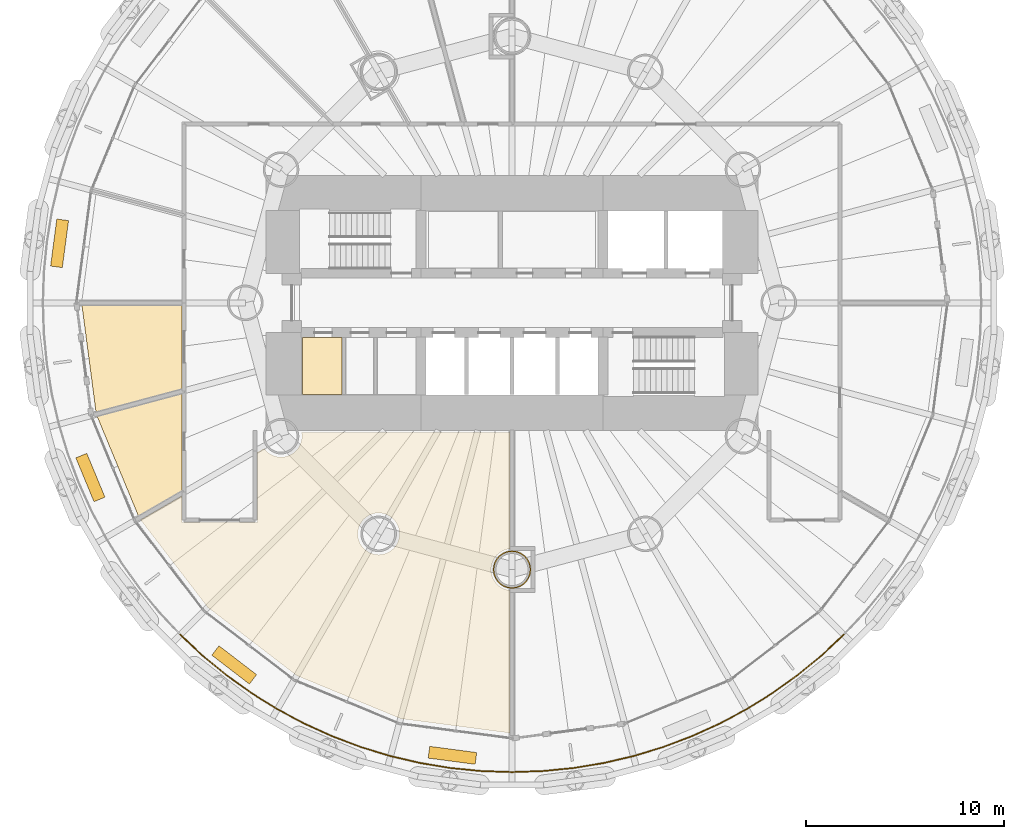
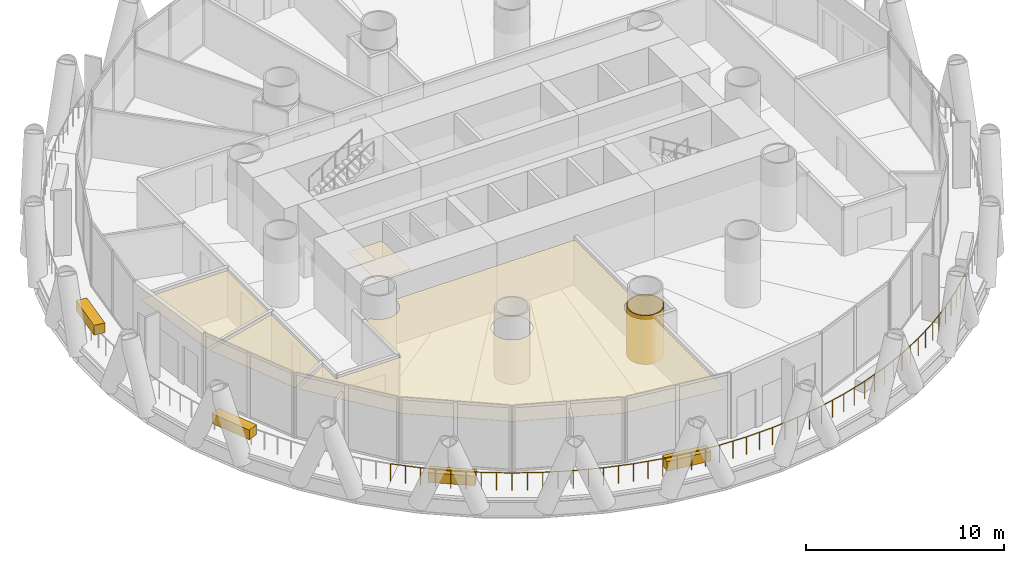
# One storey, part 13 of 16: 9 coverings, 1 railing.
"""IFC4 building model written with IfcOpenShell, lengths in metres."""

import ifcopenshell
import ifcopenshell.guid

model = None  # the IFC model being written
_history = None  # IfcOwnerHistory: only IFC2X3 demands one
_inside = {}  # id of a spatial element -> (the spatial element, [elements in it])
_under = {}  # id of a project, library or spatial element -> (it, [spatial elements below it])
_declared = {}  # id of a project -> (the project, [libraries it declares])
_typed = {}  # id of a type object -> (the type object, [elements of that type])
_made_of = {}  # id of a material, layer set ... -> (it, [elements and type objects made of it])


def new_model(schema):
    """Start an empty IFC model of exactly this schema.

    Asked for "IFC4X3", IfcOpenShell would pick the latest addendum, in which some entities
    have other attributes; the version numbers below select the first issue.
    IFC2X3 requires an IfcOwnerHistory on every rooted entity: one is made here for all.
    """
    global model, _history
    if schema == "IFC4X3":
        model = ifcopenshell.file(schema_version=(4, 3, 0, 0))
    else:
        model = ifcopenshell.file(schema=schema)
    _inside.clear()
    _under.clear()
    _declared.clear()
    _typed.clear()
    _made_of.clear()
    _history = None
    if model.schema == "IFC2X3":
        org = make("IfcOrganization", Name="unknown")
        user = make(
            "IfcPersonAndOrganization",
            ThePerson=make("IfcPerson", FamilyName="unknown"),
            TheOrganization=org,
        )
        app = make(
            "IfcApplication",
            ApplicationDeveloper=org,
            Version="unknown",
            ApplicationFullName="unknown",
            ApplicationIdentifier="unknown",
        )
        _history = make(
            "IfcOwnerHistory",
            OwningUser=user,
            OwningApplication=app,
            ChangeAction="ADDED",
            CreationDate=0,
        )
    return model


def make(cls, **values):
    """One entity of the class cls with the attributes given. An attribute that is None is left unset."""
    return model.create_entity(
        cls, **{name: value for name, value in values.items() if value is not None}
    )


def rooted(cls, **values):
    """An entity with a GlobalId (a new one), such as an element, a storey or a relation."""
    return make(cls, GlobalId=ifcopenshell.guid.new(), OwnerHistory=_history, **values)


def si_unit(unit_type, name, prefix=None):
    """IfcSIUnit, for example si_unit("LENGTHUNIT", "METRE", prefix="MILLI")."""
    return make("IfcSIUnit", UnitType=unit_type, Prefix=prefix, Name=name)


def assignment(units):
    """IfcUnitAssignment: the units of a project."""
    return None if units is None else make("IfcUnitAssignment", Units=units)


def point(xyz):
    """IfcCartesianPoint."""
    return None if xyz is None else make("IfcCartesianPoint", Coordinates=xyz)


def direction(xyz):
    """IfcDirection."""
    return None if xyz is None else make("IfcDirection", DirectionRatios=xyz)


def frame(location, z_axis=None, x_axis=None):
    """IfcAxis2Placement3D, a coordinate frame: its origin and axes. An axis left out is left unset."""
    return make(
        "IfcAxis2Placement3D",
        Location=point(location),
        Axis=direction(z_axis),
        RefDirection=direction(x_axis),
    )


def frame_2d(location, x_axis=None):
    """IfcAxis2Placement2D, a coordinate frame in the plane: its origin and x axis."""
    return make(
        "IfcAxis2Placement2D", Location=point(location), RefDirection=direction(x_axis)
    )


def origin():
    """The frame at (0, 0, 0) with its axes left unset."""
    return frame((0.0, 0.0, 0.0))


def origin_2d():
    """The frame at (0, 0) in the plane with its x axis left unset."""
    return frame_2d((0.0, 0.0))


def place(relative_to, where):
    """IfcLocalPlacement: puts the frame where relative to a parent placement (None: the world)."""
    return make(
        "IfcLocalPlacement", PlacementRelTo=relative_to, RelativePlacement=where
    )


def context(
    kind, dimensions, precision=None, world=None, true_north=None, identifier=None
):
    """IfcGeometricRepresentationContext, for example the 3D "Model" context."""
    return make(
        "IfcGeometricRepresentationContext",
        ContextIdentifier=identifier,
        ContextType=kind,
        CoordinateSpaceDimension=dimensions,
        Precision=precision,
        WorldCoordinateSystem=world,
        TrueNorth=true_north,
    )


def subcontext(parent, identifier, kind, view, scale=None):
    """IfcGeometricRepresentationSubContext, for example "Body" below "Model"."""
    return make(
        "IfcGeometricRepresentationSubContext",
        ContextIdentifier=identifier,
        ContextType=kind,
        ParentContext=parent,
        TargetScale=scale,
        TargetView=view,
    )


def project(units=None, contexts=None):
    """IfcProject with its units and contexts."""
    return rooted(
        "IfcProject",
        Name="project",
        RepresentationContexts=contexts,
        UnitsInContext=assignment(units),
    )


def spatial(cls, under=None, at=None, **own):
    """A site, building, storey or space (cls), placed at a placement, below another one or the project."""
    s = rooted(cls, ObjectPlacement=at, **own)
    if under is not None:
        _under.setdefault(under.id(), (under, []))[1].append(s)
    return s


def polyline(points):
    """IfcPolyline through the points."""
    return make("IfcPolyline", Points=[point(p) for p in points])


def profile(cls, at=None, kind="AREA", **sizes):
    """A parametric profile (cls). Its sizes go by their IFC names, for example OverallWidth=200.0."""
    return make(cls, ProfileType=kind, Position=at, **sizes)


def rectangle(**sizes):
    """IfcRectangleProfileDef."""
    return profile("IfcRectangleProfileDef", **sizes)


def circle(**sizes):
    """IfcCircleProfileDef."""
    return profile("IfcCircleProfileDef", **sizes)


def outline(outer, holes=None, kind="AREA"):
    """IfcArbitraryClosedProfileDef: a profile drawn as a closed curve; with holes, ...WithVoids."""
    if holes is None:
        return make("IfcArbitraryClosedProfileDef", ProfileType=kind, OuterCurve=outer)
    return make(
        "IfcArbitraryProfileDefWithVoids",
        ProfileType=kind,
        OuterCurve=outer,
        InnerCurves=holes,
    )


def extrude(swept, where, along, depth):
    """IfcExtrudedAreaSolid: the profile swept, set in the frame where, extruded along a direction by depth."""
    return make(
        "IfcExtrudedAreaSolid",
        SweptArea=swept,
        Position=where,
        ExtrudedDirection=direction(along),
        Depth=depth,
    )


def shape(context_of_items, identifier, shape_type, items):
    """IfcShapeRepresentation: the items that make up one representation, for example the "Body"."""
    return make(
        "IfcShapeRepresentation",
        ContextOfItems=context_of_items,
        RepresentationIdentifier=identifier,
        RepresentationType=shape_type,
        Items=items,
    )


def material(Name=None, Category=None):
    """IfcMaterial."""
    return make("IfcMaterial", Name=Name, Category=Category)


def layer(
    of_material, thickness, ventilated=None, Name=None, Category=None, Priority=None
):
    """IfcMaterialLayer: one layer of a wall or slab, of a material (None: an air gap)."""
    return make(
        "IfcMaterialLayer",
        Material=of_material,
        LayerThickness=thickness,
        IsVentilated=ventilated,
        Name=Name,
        Category=Category,
        Priority=Priority,
    )


def layer_set(layers, Name=None):
    """IfcMaterialLayerSet."""
    return make("IfcMaterialLayerSet", MaterialLayers=layers, LayerSetName=Name)


def made_of(thing, what):
    """Note that an element or type object is made of a material, layer set ...; save() writes the relation."""
    if what is not None:
        _made_of.setdefault(what.id(), (what, []))[1].append(thing)
    return thing


def type_object(cls, material=None, **own):
    """A type object (cls), such as IfcWallType, which elements share."""
    return made_of(rooted(cls, **own), material)


def element(
    cls,
    number,
    at=None,
    inside=None,
    cuts=None,
    type_object=None,
    material=None,
    context=None,
    identifier="Body",
    shape_type=None,
    held_by="IfcProductDefinitionShape",
    body=None,
    shapes=None,
    **own,
):
    """One element of the class cls, such as IfcWall. Its Tag is "e" and its number.

    at: its placement. inside: the storey or other place that contains it. cuts: it is an
    opening in that element (IfcRelVoidsElement). A single representation is given by context,
    identifier, shape_type and body (its items); several are given by shapes. held_by: the class
    of the entity that holds the representations. save() writes the other relations.
    """
    e = rooted(cls, Tag="e%d" % number, ObjectPlacement=at, **own)
    if body is not None:
        shapes = [shape(context, identifier, shape_type, body)]
    if shapes is not None:
        e.Representation = make(held_by, Representations=shapes)
    if inside is not None:
        _inside.setdefault(inside.id(), (inside, []))[1].append(e)
    if cuts is not None:
        rooted(
            "IfcRelVoidsElement", RelatingBuildingElement=cuts, RelatedOpeningElement=e
        )
    if type_object is not None:
        _typed.setdefault(type_object.id(), (type_object, []))[1].append(e)
    return made_of(e, material)


def aggregate(whole, parts):
    """IfcRelAggregates: a whole, such as a stair, and the parts it consists of."""
    return rooted("IfcRelAggregates", RelatingObject=whole, RelatedObjects=parts)


def save(model, path):
    """Write the relations noted so far, then the file.

    IfcRelAggregates (storeys below a building ...), IfcRelContainedInSpatialStructure (elements
    in a storey), IfcRelDefinesByType, IfcRelAssociatesMaterial and IfcRelDeclares: one each for
    every whole, place, type object, material and project.
    """
    for whole, parts in _under.values():
        aggregate(whole, parts)
    for where, things in _inside.values():
        rooted(
            "IfcRelContainedInSpatialStructure",
            RelatedElements=things,
            RelatingStructure=where,
        )
    for kind, things in _typed.values():
        rooted("IfcRelDefinesByType", RelatedObjects=things, RelatingType=kind)
    for what, things in _made_of.values():
        rooted("IfcRelAssociatesMaterial", RelatedObjects=things, RelatingMaterial=what)
    for by, libraries in _declared.values():
        rooted("IfcRelDeclares", RelatingContext=by, RelatedDefinitions=libraries)
    model.write(path)


model = new_model("IFC4")

# Units and contexts
model_context = context("Model", 3, precision=1e-05, world=origin(), true_north=direction((0.0, 1.0)))
body_context = subcontext(model_context, "Body", "Model", "MODEL_VIEW")
ifc_project = project(units=[si_unit("LENGTHUNIT", "METRE"), si_unit("AREAUNIT", "SQUARE_METRE"), si_unit("VOLUMEUNIT", "CUBIC_METRE"), si_unit("PLANEANGLEUNIT", "RADIAN"), si_unit("MASSUNIT", "GRAM", prefix="KILO")], contexts=[model_context])

# Site, building, storey
site_placement = place(None, origin())
site = spatial("IfcSite", under=ifc_project, at=site_placement, CompositionType="ELEMENT")
building_placement = place(site_placement, origin())
building = spatial("IfcBuilding", under=site, at=building_placement, Name="Qaws Media Tower", CompositionType="ELEMENT")
storey_placement = place(building_placement, frame((0.0, 0.0, 181.39990234375)))
storey = spatial("IfcBuildingStorey", under=building, at=storey_placement, Name="L41", CompositionType="ELEMENT", Elevation=181.39990234375)

# Railing
ifc_material_1 = material(Name="Stainless steel and glass guard", Category="steel")
railing_type = type_object("IfcRailingType", Name="Balcony guard 1100", PredefinedType="GUARDRAIL", material=ifc_material_1)
railing_placement = place(storey_placement, frame((43.206298828125, 33.206298828125, 0.0)))
element("IfcRailing", 1, at=railing_placement, inside=storey, type_object=railing_type, Name="GR1 balcony guard L41-3", PredefinedType="GUARDRAIL", context=body_context, shape_type="SweptSolid", body=[
    extrude(circle(Radius=0.02392578125, at=origin_2d()), frame((0.0, 0.0, 1.076171875), z_axis=(0.729821267522, -0.683638001777, 0.0), x_axis=(0.683638001777, 0.729821267522, 0.0)), (0.0, 0.0, 1.0), 1.55419921875),
    extrude(circle(Radius=0.02392578125, at=origin_2d()), frame((1.13427734375, -1.0625, 1.076171875), z_axis=(0.773053617773, -0.634340684529, 0.0), x_axis=(0.634340684529, 0.773053617773, 0.0)), (0.0, 0.0, 1.0), 1.55419921875),
    extrude(circle(Radius=0.02392578125, at=origin_2d()), frame((2.335693359375, -2.04833984375, 1.076171875), z_axis=(0.812819606983, -0.582515481773, 0.0), x_axis=(0.582515481773, 0.812819606983, 0.0)), (0.0, 0.0, 1.0), 1.553955078125),
    extrude(circle(Radius=0.02392578125, at=origin_2d()), frame((3.598876953125, -2.95361328125, 1.076171875), z_axis=(0.849178711534, -0.528105591598, 0.0), x_axis=(0.528105591598, 0.849178711534, 0.0)), (0.0, 0.0, 1.0), 1.55419921875),
    extrude(circle(Radius=0.02392578125, at=origin_2d()), frame((4.918701171875, -3.7744140625, 1.076171875), z_axis=(0.881904644069, -0.471427829863, 0.0), x_axis=(0.471427829863, 0.881904644069, 0.0)), (0.0, 0.0, 1.0), 1.55419921875),
    extrude(circle(Radius=0.02392578125, at=origin_2d()), frame((6.289306640625, -4.507080078125, 1.076171875), z_axis=(0.910892916881, -0.412642816459, 0.0), x_axis=(0.412642816459, 0.910892916881, 0.0)), (0.0, 0.0, 1.0), 1.55419921875),
    extrude(circle(Radius=0.02392578125, at=origin_2d()), frame((7.705078125, -5.1484375, 1.076171875), z_axis=(0.935908829299, -0.352242335956, 0.0), x_axis=(0.352242335956, 0.935908829299, 0.0)), (0.0, 0.0, 1.0), 1.553955078125),
    extrude(circle(Radius=0.02392578125, at=origin_2d()), frame((9.159423828125, -5.69580078125, 1.076171875), z_axis=(0.956939811961, -0.290286403891, 0.0), x_axis=(0.290286403891, 0.956939811961, 0.0)), (0.0, 0.0, 1.0), 1.55419921875),
    extrude(circle(Radius=0.02392578125, at=origin_2d()), frame((10.646728515625, -6.14697265625, 1.076171875), z_axis=(0.97386437695, -0.227130304689, 0.0), x_axis=(0.227130304689, 0.97386437695, 0.0)), (0.0, 0.0, 1.0), 1.55419921875),
    extrude(circle(Radius=0.02392578125, at=origin_2d()), frame((12.160400390625, -6.5, 1.076171875), z_axis=(0.986639094643, -0.162921137125, 0.0), x_axis=(0.162921137125, 0.986639094643, 0.0)), (0.0, 0.0, 1.0), 1.553955078125),
    extrude(circle(Radius=0.02392578125, at=origin_2d()), frame((13.693603515625, -6.753173828125, 1.076171875), z_axis=(0.995185362969, -0.098010679686, 0.0), x_axis=(0.098010679686, 0.995185362969, 0.0)), (0.0, 0.0, 1.0), 1.554443359375),
    extrude(circle(Radius=0.02392578125, at=origin_2d()), frame((15.240478515625, -6.905517578125, 1.076171875), z_axis=(0.999465975293, -0.032676661877, 0.0), x_axis=(0.032676661877, 0.999465975293, 0.0)), (0.0, 0.0, 1.0), 1.553955078125),
    extrude(circle(Radius=0.02392578125, at=origin_2d()), frame((16.793701171875, -6.956298828125, 1.076171875), z_axis=(0.999465975293, 0.032676661877, 0.0), x_axis=(-0.032676661877, 0.999465975293, 0.0)), (0.0, 0.0, 1.0), 1.553955078125),
    extrude(circle(Radius=0.02392578125, at=origin_2d()), frame((18.346923828125, -6.905517578125, 1.076171875), z_axis=(0.995185362969, 0.098010679686, 0.0), x_axis=(-0.098010679686, 0.995185362969, 0.0)), (0.0, 0.0, 1.0), 1.554443359375),
    extrude(circle(Radius=0.02392578125, at=origin_2d()), frame((19.893798828125, -6.753173828125, 1.076171875), z_axis=(0.986639094643, 0.162921137125, 0.0), x_axis=(-0.162921137125, 0.986639094643, 0.0)), (0.0, 0.0, 1.0), 1.553955078125),
    extrude(circle(Radius=0.02392578125, at=origin_2d()), frame((21.427001953125, -6.5, 1.076171875), z_axis=(0.97386437695, 0.227130304689, 0.0), x_axis=(-0.227130304689, 0.97386437695, 0.0)), (0.0, 0.0, 1.0), 1.55419921875),
    extrude(circle(Radius=0.02392578125, at=origin_2d()), frame((22.940673828125, -6.14697265625, 1.076171875), z_axis=(0.956939811961, 0.290286403891, 0.0), x_axis=(-0.290286403891, 0.956939811961, 0.0)), (0.0, 0.0, 1.0), 1.55419921875),
    extrude(circle(Radius=0.02392578125, at=origin_2d()), frame((24.427978515625, -5.69580078125, 1.076171875), z_axis=(0.935908829299, 0.352242335956, 0.0), x_axis=(-0.352242335956, 0.935908829299, 0.0)), (0.0, 0.0, 1.0), 1.553955078125),
    extrude(circle(Radius=0.02392578125, at=origin_2d()), frame((25.88232421875, -5.1484375, 1.076171875), z_axis=(0.910892916881, 0.412642816459, 0.0), x_axis=(-0.412642816459, 0.910892916881, 0.0)), (0.0, 0.0, 1.0), 1.55419921875),
    extrude(circle(Radius=0.02392578125, at=origin_2d()), frame((27.298095703125, -4.507080078125, 1.076171875), z_axis=(0.881904644069, 0.471427829863, 0.0), x_axis=(-0.471427829863, 0.881904644069, 0.0)), (0.0, 0.0, 1.0), 1.55419921875),
    extrude(circle(Radius=0.02392578125, at=origin_2d()), frame((28.668701171875, -3.7744140625, 1.076171875), z_axis=(0.849178711534, 0.528105591598, 0.0), x_axis=(-0.528105591598, 0.849178711534, 0.0)), (0.0, 0.0, 1.0), 1.55419921875),
    extrude(circle(Radius=0.02392578125, at=origin_2d()), frame((29.988525390625, -2.95361328125, 1.076171875), z_axis=(0.812819606983, 0.582515481773, 0.0), x_axis=(-0.582515481773, 0.812819606983, 0.0)), (0.0, 0.0, 1.0), 1.553955078125),
    extrude(circle(Radius=0.02392578125, at=origin_2d()), frame((31.251708984375, -2.04833984375, 1.076171875), z_axis=(0.773053617773, 0.634340684529, 0.0), x_axis=(-0.634340684529, 0.773053617773, 0.0)), (0.0, 0.0, 1.0), 1.55419921875),
    extrude(circle(Radius=0.02392578125, at=origin_2d()), frame((32.453125, -1.0625, 1.076171875), z_axis=(0.729821267522, 0.683638001777, 0.0), x_axis=(-0.683638001777, 0.729821267522, 0.0)), (0.0, 0.0, 1.0), 1.55419921875),
    extrude(circle(Radius=0.02099609375, at=origin_2d()), origin(), (0.0, 0.0, 1.0), 1.052001953125),
    extrude(circle(Radius=0.02099609375, at=origin_2d()), frame((0.567138671875, -0.53125, 0.0)), (0.0, 0.0, 1.0), 1.052001953125),
    extrude(circle(Radius=0.02099609375, at=origin_2d()), frame((1.13427734375, -1.0625, 0.0)), (0.0, 0.0, 1.0), 1.052001953125),
    extrude(circle(Radius=0.02099609375, at=origin_2d()), frame((1.73486328125, -1.555419921875, 0.0)), (0.0, 0.0, 1.0), 1.052001953125),
    extrude(circle(Radius=0.02099609375, at=origin_2d()), frame((2.335693359375, -2.04833984375, 0.0)), (0.0, 0.0, 1.0), 1.052001953125),
    extrude(circle(Radius=0.02099609375, at=origin_2d()), frame((2.96728515625, -2.5009765625, 0.0)), (0.0, 0.0, 1.0), 1.052001953125),
    extrude(circle(Radius=0.02099609375, at=origin_2d()), frame((3.598876953125, -2.95361328125, 0.0)), (0.0, 0.0, 1.0), 1.052001953125),
    extrude(circle(Radius=0.02099609375, at=origin_2d()), frame((4.2587890625, -3.364013671875, 0.0)), (0.0, 0.0, 1.0), 1.052001953125),
    extrude(circle(Radius=0.02099609375, at=origin_2d()), frame((4.918701171875, -3.7744140625, 0.0)), (0.0, 0.0, 1.0), 1.052001953125),
    extrude(circle(Radius=0.02099609375, at=origin_2d()), frame((5.60400390625, -4.140625, 0.0)), (0.0, 0.0, 1.0), 1.052001953125),
    extrude(circle(Radius=0.02099609375, at=origin_2d()), frame((6.289306640625, -4.507080078125, 0.0)), (0.0, 0.0, 1.0), 1.052001953125),
    extrude(circle(Radius=0.02099609375, at=origin_2d()), frame((6.9970703125, -4.82763671875, 0.0)), (0.0, 0.0, 1.0), 1.052001953125),
    extrude(circle(Radius=0.02099609375, at=origin_2d()), frame((7.705078125, -5.1484375, 0.0)), (0.0, 0.0, 1.0), 1.052001953125),
    extrude(circle(Radius=0.02099609375, at=origin_2d()), frame((8.43212890625, -5.422119140625, 0.0)), (0.0, 0.0, 1.0), 1.052001953125),
    extrude(circle(Radius=0.02099609375, at=origin_2d()), frame((9.159423828125, -5.69580078125, 0.0)), (0.0, 0.0, 1.0), 1.052001953125),
    extrude(circle(Radius=0.02099609375, at=origin_2d()), frame((9.903076171875, -5.92138671875, 0.0)), (0.0, 0.0, 1.0), 1.052001953125),
    extrude(circle(Radius=0.02099609375, at=origin_2d()), frame((10.646728515625, -6.14697265625, 0.0)), (0.0, 0.0, 1.0), 1.052001953125),
    extrude(circle(Radius=0.02099609375, at=origin_2d()), frame((11.403564453125, -6.323486328125, 0.0)), (0.0, 0.0, 1.0), 1.052001953125),
    extrude(circle(Radius=0.02099609375, at=origin_2d()), frame((12.160400390625, -6.5, 0.0)), (0.0, 0.0, 1.0), 1.052001953125),
    extrude(circle(Radius=0.02099609375, at=origin_2d()), frame((12.927001953125, -6.62646484375, 0.0)), (0.0, 0.0, 1.0), 1.052001953125),
    extrude(circle(Radius=0.02099609375, at=origin_2d()), frame((13.693603515625, -6.753173828125, 0.0)), (0.0, 0.0, 1.0), 1.052001953125),
    extrude(circle(Radius=0.02099609375, at=origin_2d()), frame((14.467041015625, -6.829345703125, 0.0)), (0.0, 0.0, 1.0), 1.052001953125),
    extrude(circle(Radius=0.02099609375, at=origin_2d()), frame((15.240478515625, -6.905517578125, 0.0)), (0.0, 0.0, 1.0), 1.052001953125),
    extrude(circle(Radius=0.02099609375, at=origin_2d()), frame((16.01708984375, -6.930908203125, 0.0)), (0.0, 0.0, 1.0), 1.052001953125),
    extrude(circle(Radius=0.02099609375, at=origin_2d()), frame((16.793701171875, -6.956298828125, 0.0)), (0.0, 0.0, 1.0), 1.052001953125),
    extrude(circle(Radius=0.02099609375, at=origin_2d()), frame((17.5703125, -6.930908203125, 0.0)), (0.0, 0.0, 1.0), 1.052001953125),
    extrude(circle(Radius=0.02099609375, at=origin_2d()), frame((18.346923828125, -6.905517578125, 0.0)), (0.0, 0.0, 1.0), 1.052001953125),
    extrude(circle(Radius=0.02099609375, at=origin_2d()), frame((19.120361328125, -6.829345703125, 0.0)), (0.0, 0.0, 1.0), 1.052001953125),
    extrude(circle(Radius=0.02099609375, at=origin_2d()), frame((19.893798828125, -6.753173828125, 0.0)), (0.0, 0.0, 1.0), 1.052001953125),
    extrude(circle(Radius=0.02099609375, at=origin_2d()), frame((20.660400390625, -6.62646484375, 0.0)), (0.0, 0.0, 1.0), 1.052001953125),
    extrude(circle(Radius=0.02099609375, at=origin_2d()), frame((21.427001953125, -6.5, 0.0)), (0.0, 0.0, 1.0), 1.052001953125),
    extrude(circle(Radius=0.02099609375, at=origin_2d()), frame((22.183837890625, -6.323486328125, 0.0)), (0.0, 0.0, 1.0), 1.052001953125),
    extrude(circle(Radius=0.02099609375, at=origin_2d()), frame((22.940673828125, -6.14697265625, 0.0)), (0.0, 0.0, 1.0), 1.052001953125),
    extrude(circle(Radius=0.02099609375, at=origin_2d()), frame((23.684326171875, -5.92138671875, 0.0)), (0.0, 0.0, 1.0), 1.052001953125),
    extrude(circle(Radius=0.02099609375, at=origin_2d()), frame((24.427978515625, -5.69580078125, 0.0)), (0.0, 0.0, 1.0), 1.052001953125),
    extrude(circle(Radius=0.02099609375, at=origin_2d()), frame((25.1552734375, -5.422119140625, 0.0)), (0.0, 0.0, 1.0), 1.052001953125),
    extrude(circle(Radius=0.02099609375, at=origin_2d()), frame((25.88232421875, -5.1484375, 0.0)), (0.0, 0.0, 1.0), 1.052001953125),
    extrude(circle(Radius=0.02099609375, at=origin_2d()), frame((26.59033203125, -4.82763671875, 0.0)), (0.0, 0.0, 1.0), 1.052001953125),
    extrude(circle(Radius=0.02099609375, at=origin_2d()), frame((27.298095703125, -4.507080078125, 0.0)), (0.0, 0.0, 1.0), 1.052001953125),
    extrude(circle(Radius=0.02099609375, at=origin_2d()), frame((27.9833984375, -4.140625, 0.0)), (0.0, 0.0, 1.0), 1.052001953125),
    extrude(circle(Radius=0.02099609375, at=origin_2d()), frame((28.668701171875, -3.7744140625, 0.0)), (0.0, 0.0, 1.0), 1.052001953125),
    extrude(circle(Radius=0.02099609375, at=origin_2d()), frame((29.32861328125, -3.364013671875, 0.0)), (0.0, 0.0, 1.0), 1.052001953125),
    extrude(circle(Radius=0.02099609375, at=origin_2d()), frame((29.988525390625, -2.95361328125, 0.0)), (0.0, 0.0, 1.0), 1.052001953125),
    extrude(circle(Radius=0.02099609375, at=origin_2d()), frame((30.6201171875, -2.5009765625, 0.0)), (0.0, 0.0, 1.0), 1.052001953125),
    extrude(circle(Radius=0.02099609375, at=origin_2d()), frame((31.251708984375, -2.04833984375, 0.0)), (0.0, 0.0, 1.0), 1.052001953125),
    extrude(circle(Radius=0.02099609375, at=origin_2d()), frame((31.8525390625, -1.555419921875, 0.0)), (0.0, 0.0, 1.0), 1.052001953125),
    extrude(circle(Radius=0.02099609375, at=origin_2d()), frame((32.453125, -1.0625, 0.0)), (0.0, 0.0, 1.0), 1.052001953125),
    extrude(circle(Radius=0.02099609375, at=origin_2d()), frame((33.020263671875, -0.53125, 0.0)), (0.0, 0.0, 1.0), 1.052001953125),
    extrude(circle(Radius=0.02099609375, at=origin_2d()), frame((33.58740234375, 0.0, 0.0)), (0.0, 0.0, 1.0), 1.052001953125),
])

# Coverings
ifc_material_2 = material(Name="Two layers 15 fire-rated gypsum board on steel framing", Category="steel")
ifc_layer_1 = layer(ifc_material_2, 0.050048828125)
ifc_layer_set_1 = layer_set([ifc_layer_1], Name="Column fire casing")
covering_type_1 = type_object("IfcCoveringType", Name="Column fire casing", PredefinedType="CLADDING", material=ifc_layer_set_1)
covering_1_placement = place(storey_placement, origin())
element("IfcCovering", 2, at=covering_1_placement, inside=storey, type_object=covering_type_1, Name="CC1 column casing L41", PredefinedType="CLADDING", context=body_context, shape_type="SweptSolid", body=[
    extrude(outline(polyline([(60.955078125, 36.5), (60.94677734375, 36.375244140625), (60.922607421875, 36.252685546875), (60.88232421875, 36.134521484375), (60.8271484375, 36.0224609375), (60.7578125, 35.918701171875), (60.67529296875, 35.82470703125), (60.581298828125, 35.7421875), (60.4775390625, 35.6728515625), (60.365478515625, 35.61767578125), (60.247314453125, 35.577392578125), (60.124755859375, 35.55322265625), (60.0, 35.544921875), (59.875244140625, 35.55322265625), (59.752685546875, 35.577392578125), (59.634521484375, 35.61767578125), (59.5224609375, 35.6728515625), (59.418701171875, 35.7421875), (59.32470703125, 35.82470703125), (59.2421875, 35.918701171875), (59.1728515625, 36.0224609375), (59.11767578125, 36.134521484375), (59.077392578125, 36.252685546875), (59.05322265625, 36.375244140625), (59.044921875, 36.5), (59.05322265625, 36.624755859375), (59.077392578125, 36.747314453125), (59.11767578125, 36.865478515625), (59.1728515625, 36.9775390625), (59.2421875, 37.081298828125), (59.32470703125, 37.17529296875), (59.418701171875, 37.2578125), (59.5224609375, 37.3271484375), (59.634521484375, 37.38232421875), (59.752685546875, 37.422607421875), (59.875244140625, 37.44677734375), (60.0, 37.455078125), (60.124755859375, 37.44677734375), (60.247314453125, 37.422607421875), (60.365478515625, 37.38232421875), (60.4775390625, 37.3271484375), (60.581298828125, 37.2578125), (60.67529296875, 37.17529296875), (60.7578125, 37.081298828125), (60.8271484375, 36.9775390625), (60.88232421875, 36.865478515625), (60.922607421875, 36.747314453125), (60.94677734375, 36.624755859375), (60.955078125, 36.5)]), holes=[polyline([(60.903076171875, 36.5), (60.895263671875, 36.382080078125), (60.872314453125, 36.266357421875), (60.834228515625, 36.154296875), (60.781982421875, 36.048583984375), (60.71630859375, 35.9501953125), (60.638427734375, 35.861572265625), (60.5498046875, 35.78369140625), (60.451416015625, 35.718017578125), (60.345703125, 35.665771484375), (60.233642578125, 35.627685546875), (60.117919921875, 35.604736328125), (60.0, 35.596923828125), (59.882080078125, 35.604736328125), (59.766357421875, 35.627685546875), (59.654296875, 35.665771484375), (59.548583984375, 35.718017578125), (59.4501953125, 35.78369140625), (59.361572265625, 35.861572265625), (59.28369140625, 35.9501953125), (59.218017578125, 36.048583984375), (59.165771484375, 36.154296875), (59.127685546875, 36.266357421875), (59.104736328125, 36.382080078125), (59.096923828125, 36.5), (59.104736328125, 36.617919921875), (59.127685546875, 36.733642578125), (59.165771484375, 36.845703125), (59.218017578125, 36.951416015625), (59.28369140625, 37.0498046875), (59.361572265625, 37.138427734375), (59.4501953125, 37.21630859375), (59.548583984375, 37.281982421875), (59.654296875, 37.334228515625), (59.766357421875, 37.372314453125), (59.882080078125, 37.395263671875), (60.0, 37.403076171875), (60.117919921875, 37.395263671875), (60.233642578125, 37.372314453125), (60.345703125, 37.334228515625), (60.451416015625, 37.281982421875), (60.5498046875, 37.21630859375), (60.638427734375, 37.138427734375), (60.71630859375, 37.0498046875), (60.781982421875, 36.951416015625), (60.834228515625, 36.845703125), (60.872314453125, 36.733642578125), (60.895263671875, 36.617919921875), (60.903076171875, 36.5)])]), origin(), (0.0, 0.0, 1.0), 3.02001953125),
])
ifc_material_3 = material(Name="600 x 600 mineral fibre tiles in exposed grid, suspended", Category="mineral fibre")
ifc_layer_2 = layer(ifc_material_3, 0.02001953125)
ifc_layer_set_2 = layer_set([ifc_layer_2], Name="Mineral fibre tile ceiling 20")
covering_type_2 = type_object("IfcCoveringType", Name="Mineral fibre tile ceiling 20", PredefinedType="CEILING", material=ifc_layer_set_2)
covering_2_placement = place(storey_placement, frame((0.0, 0.0, 2.85009765625)))
element("IfcCovering", 3, at=covering_2_placement, inside=storey, type_object=covering_type_2, Name="CL1 ceiling L41-09 Office", PredefinedType="CEILING", context=body_context, shape_type="SweptSolid", body=[
    extrude(outline(polyline([(39.00048828125, 44.256591796875), (43.28759765625, 45.405517578125), (43.28759765625, 40.48095703125), (41.090087890625, 39.212158203125), (39.00048828125, 44.256591796875)])), origin(), (0.0, 0.0, 1.0), 0.02001953125),
])
covering_3_placement = place(storey_placement, frame((0.0, 0.0, 2.85009765625)))
element("IfcCovering", 4, at=covering_3_placement, inside=storey, type_object=covering_type_2, Name="CL1 ceiling L41-10 Communications office", PredefinedType="CEILING", context=body_context, shape_type="SweptSolid", body=[
    extrude(outline(polyline([(54.361572265625, 28.95703125), (49.107421875, 31.13330078125), (44.595458984375, 34.595458984375), (41.202392578125, 39.017333984375), (43.28759765625, 40.22119140625), (43.28759765625, 38.887451171875), (47.112548828125, 38.887451171875), (47.112548828125, 42.429443359375), (47.453369140625, 42.626220703125), (47.4677734375, 42.604736328125), (47.55908203125, 42.50048828125), (47.663330078125, 42.408935546875), (47.77880859375, 42.33203125), (47.903076171875, 42.270751953125), (48.0341796875, 42.22607421875), (48.17041015625, 42.19921875), (48.30859375, 42.18994140625), (48.447021484375, 42.19921875), (48.5830078125, 42.22607421875), (48.71435546875, 42.270751953125), (48.838623046875, 42.33203125), (48.953857421875, 42.408935546875), (49.05810546875, 42.50048828125), (49.149658203125, 42.604736328125), (49.2265625, 42.719970703125), (49.2880859375, 42.844482421875), (49.33251953125, 42.9755859375), (49.359619140625, 43.111572265625), (49.36865234375, 43.25), (49.359619140625, 43.388427734375), (49.349853515625, 43.4375), (59.887451171875, 43.4375), (59.887451171875, 37.552490234375), (59.861572265625, 37.55078125), (59.7255859375, 37.52392578125), (59.594482421875, 37.479248046875), (59.469970703125, 37.41796875), (59.354736328125, 37.341064453125), (59.25048828125, 37.24951171875), (59.158935546875, 37.145263671875), (59.08203125, 37.030029296875), (59.020751953125, 36.905517578125), (58.97607421875, 36.7744140625), (58.94921875, 36.638427734375), (58.93994140625, 36.5), (58.94921875, 36.361572265625), (58.97607421875, 36.2255859375), (59.020751953125, 36.094482421875), (59.08203125, 35.969970703125), (59.158935546875, 35.854736328125), (59.25048828125, 35.75048828125), (59.354736328125, 35.658935546875), (59.469970703125, 35.58203125), (59.594482421875, 35.520751953125), (59.7255859375, 35.47607421875), (59.861572265625, 35.44921875), (59.887451171875, 35.447509765625), (59.887451171875, 28.2294921875), (54.361572265625, 28.95703125)]), holes=[polyline([(54.27392578125, 38.0341796875), (54.30078125, 38.17041015625), (54.31005859375, 38.30859375), (54.30078125, 38.447021484375), (54.27392578125, 38.5830078125), (54.229248046875, 38.71435546875), (54.16796875, 38.838623046875), (54.091064453125, 38.953857421875), (53.99951171875, 39.05810546875), (53.895263671875, 39.149658203125), (53.780029296875, 39.2265625), (53.655517578125, 39.2880859375), (53.5244140625, 39.33251953125), (53.388427734375, 39.359619140625), (53.25, 39.36865234375), (53.111572265625, 39.359619140625), (52.9755859375, 39.33251953125), (52.844482421875, 39.2880859375), (52.719970703125, 39.2265625), (52.604736328125, 39.149658203125), (52.50048828125, 39.05810546875), (52.408935546875, 38.953857421875), (52.33203125, 38.838623046875), (52.270751953125, 38.71435546875), (52.22607421875, 38.5830078125), (52.19921875, 38.447021484375), (52.18994140625, 38.30859375), (52.19921875, 38.17041015625), (52.22607421875, 38.0341796875), (52.270751953125, 37.903076171875), (52.33203125, 37.77880859375), (52.408935546875, 37.663330078125), (52.50048828125, 37.55908203125), (52.604736328125, 37.4677734375), (52.719970703125, 37.390625), (52.844482421875, 37.329345703125), (52.9755859375, 37.284912109375), (53.111572265625, 37.2578125), (53.25, 37.248779296875), (53.388427734375, 37.2578125), (53.5244140625, 37.284912109375), (53.655517578125, 37.329345703125), (53.780029296875, 37.390625), (53.895263671875, 37.4677734375), (53.99951171875, 37.55908203125), (54.091064453125, 37.663330078125), (54.16796875, 37.77880859375), (54.229248046875, 37.903076171875), (54.27392578125, 38.0341796875)])]), origin(), (0.0, 0.0, 1.0), 0.02001953125),
])
covering_4_placement = place(storey_placement, frame((0.0, 0.0, 2.85009765625)))
element("IfcCovering", 5, at=covering_4_placement, inside=storey, type_object=covering_type_2, Name="CL1 ceiling L41-C04 Shower room", PredefinedType="CEILING", context=body_context, shape_type="SweptSolid", body=[
    extrude(outline(polyline([(49.39990234375, 45.35009765625), (49.39990234375, 48.25), (51.39990234375, 48.25), (51.39990234375, 45.35009765625), (49.39990234375, 45.35009765625)])), origin(), (0.0, 0.0, 1.0), 0.02001953125),
])
ifc_material_4 = material(Name="Precast concrete planter with trailing planting", Category="concrete")
ifc_layer_3 = layer(ifc_material_4, 0.60009765625)
ifc_layer_set_3 = layer_set([ifc_layer_3], Name="Planter 2400x600")
covering_type_3 = type_object("IfcCoveringType", Name="Planter 2400x600", PredefinedType="USERDEFINED", material=ifc_layer_set_3)
for number, where, z_axis, x_axis, name in (
    (6, (37.09765625, 53.01513671875, 0.0), (0.0, 0.0, 1.0), (-0.13052619222, -0.991444861374, 0.0), "PL1 balcony planter L41-06"),
    (7, (38.658447265625, 41.159912109375, 0.0), (0.0, 0.0, 1.0), (0.382683432365, -0.923879532511, 0.0), "PL1 balcony planter L41-07"),
    (8, (45.9375, 31.673583984375, 0.0), (0.0, 0.0, 1.0), (0.793353340291, -0.608761429009, 0.0), "PL1 balcony planter L41-08"),
    (9, (56.98486328125, 27.09765625, 0.0), (0.0, 0.0, 1.0), (0.991444861374, -0.13052619222, 0.0), "PL1 balcony planter L41-09"),
):
    element("IfcCovering", number, at=place(storey_placement, frame(where, z_axis=z_axis, x_axis=x_axis)), inside=storey, type_object=covering_type_3, Name=name, ObjectType="PLANTER", PredefinedType="USERDEFINED", context=body_context, shape_type="SweptSolid", body=[
        extrude(rectangle(XDim=2.39990234375, YDim=0.60009765625, at=origin_2d()), origin(), (0.0, 0.0, 1.0), 0.60009765625),
    ])
ifc_material_5 = material(Name="Two layers 12.5 moisture-resistant plasterboard on suspended metal furring", Category="gypsum")
ifc_layer_4 = layer(ifc_material_5, 0.02490234375)
ifc_layer_set_4 = layer_set([ifc_layer_4], Name="Plasterboard ceiling 25")
covering_type_4 = type_object("IfcCoveringType", Name="Plasterboard ceiling 25", PredefinedType="CEILING", material=ifc_layer_set_4)
covering_5_placement = place(storey_placement, frame((0.0, 0.0, 2.85009765625)))
element("IfcCovering", 10, at=covering_5_placement, inside=storey, type_object=covering_type_4, Name="CL2 ceiling L41-08 Communications reception", PredefinedType="CEILING", context=body_context, shape_type="SweptSolid", body=[
    extrude(outline(polyline([(38.2294921875, 49.887451171875), (43.28759765625, 49.887451171875), (43.28759765625, 45.638427734375), (38.9423828125, 44.47412109375), (38.2294921875, 49.887451171875)])), origin(), (0.0, 0.0, 1.0), 0.02490234375),
])

save(model, "model.ifc")
